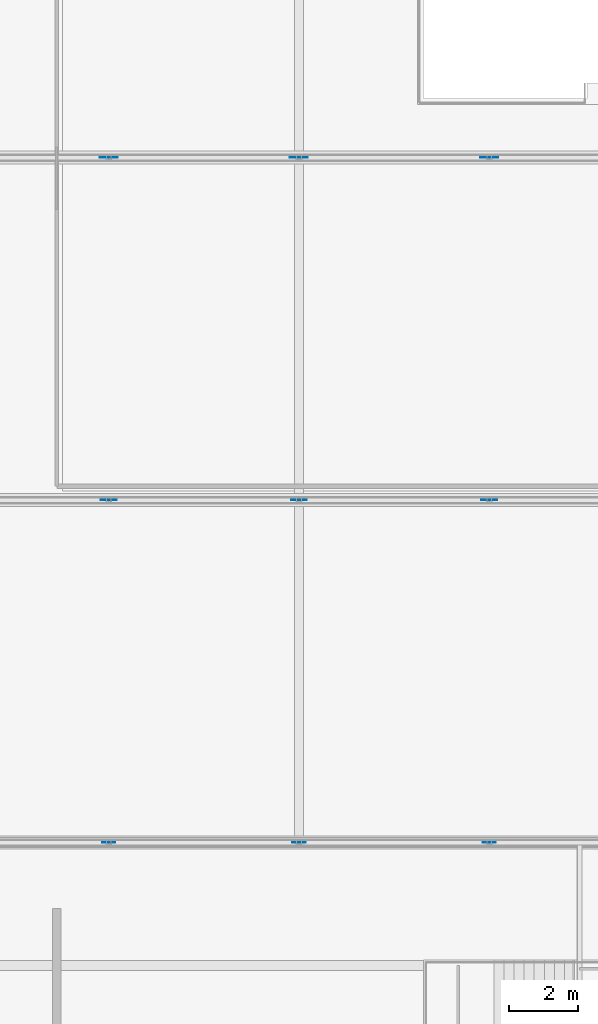
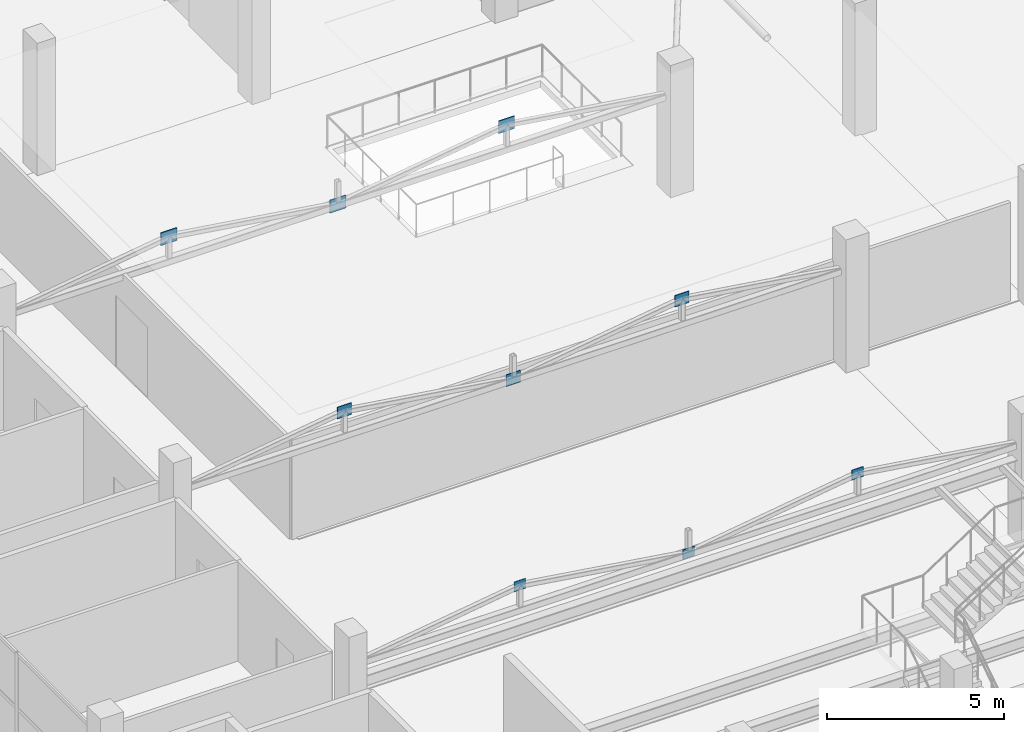
# One storey, part 40 of 55: 9 plates.
"""IFC4 building model written with IfcOpenShell, lengths in metres."""

import ifcopenshell
import ifcopenshell.guid

model = None  # the IFC model being written
_history = None  # IfcOwnerHistory: only IFC2X3 demands one
_inside = {}  # id of a spatial element -> (the spatial element, [elements in it])
_under = {}  # id of a project, library or spatial element -> (it, [spatial elements below it])
_declared = {}  # id of a project -> (the project, [libraries it declares])
_typed = {}  # id of a type object -> (the type object, [elements of that type])
_made_of = {}  # id of a material, layer set ... -> (it, [elements and type objects made of it])


def new_model(schema):
    """Start an empty IFC model of exactly this schema.

    Asked for "IFC4X3", IfcOpenShell would pick the latest addendum, in which some entities
    have other attributes; the version numbers below select the first issue.
    IFC2X3 requires an IfcOwnerHistory on every rooted entity: one is made here for all.
    """
    global model, _history
    if schema == "IFC4X3":
        model = ifcopenshell.file(schema_version=(4, 3, 0, 0))
    else:
        model = ifcopenshell.file(schema=schema)
    _inside.clear()
    _under.clear()
    _declared.clear()
    _typed.clear()
    _made_of.clear()
    _history = None
    if model.schema == "IFC2X3":
        org = make("IfcOrganization", Name="unknown")
        user = make(
            "IfcPersonAndOrganization",
            ThePerson=make("IfcPerson", FamilyName="unknown"),
            TheOrganization=org,
        )
        app = make(
            "IfcApplication",
            ApplicationDeveloper=org,
            Version="unknown",
            ApplicationFullName="unknown",
            ApplicationIdentifier="unknown",
        )
        _history = make(
            "IfcOwnerHistory",
            OwningUser=user,
            OwningApplication=app,
            ChangeAction="ADDED",
            CreationDate=0,
        )
    return model


def make(cls, **values):
    """One entity of the class cls with the attributes given. An attribute that is None is left unset."""
    return model.create_entity(
        cls, **{name: value for name, value in values.items() if value is not None}
    )


def rooted(cls, **values):
    """An entity with a GlobalId (a new one), such as an element, a storey or a relation."""
    return make(cls, GlobalId=ifcopenshell.guid.new(), OwnerHistory=_history, **values)


def si_unit(unit_type, name, prefix=None):
    """IfcSIUnit, for example si_unit("LENGTHUNIT", "METRE", prefix="MILLI")."""
    return make("IfcSIUnit", UnitType=unit_type, Prefix=prefix, Name=name)


def assignment(units):
    """IfcUnitAssignment: the units of a project."""
    return None if units is None else make("IfcUnitAssignment", Units=units)


def point(xyz):
    """IfcCartesianPoint."""
    return None if xyz is None else make("IfcCartesianPoint", Coordinates=xyz)


def direction(xyz):
    """IfcDirection."""
    return None if xyz is None else make("IfcDirection", DirectionRatios=xyz)


def frame(location, z_axis=None, x_axis=None):
    """IfcAxis2Placement3D, a coordinate frame: its origin and axes. An axis left out is left unset."""
    return make(
        "IfcAxis2Placement3D",
        Location=point(location),
        Axis=direction(z_axis),
        RefDirection=direction(x_axis),
    )


def frame_2d(location, x_axis=None):
    """IfcAxis2Placement2D, a coordinate frame in the plane: its origin and x axis."""
    return make(
        "IfcAxis2Placement2D", Location=point(location), RefDirection=direction(x_axis)
    )


def origin():
    """The frame at (0, 0, 0) with its axes left unset."""
    return frame((0.0, 0.0, 0.0))


def origin_2d():
    """The frame at (0, 0) in the plane with its x axis left unset."""
    return frame_2d((0.0, 0.0))


def place(relative_to, where):
    """IfcLocalPlacement: puts the frame where relative to a parent placement (None: the world)."""
    return make(
        "IfcLocalPlacement", PlacementRelTo=relative_to, RelativePlacement=where
    )


def context(
    kind, dimensions, precision=None, world=None, true_north=None, identifier=None
):
    """IfcGeometricRepresentationContext, for example the 3D "Model" context."""
    return make(
        "IfcGeometricRepresentationContext",
        ContextIdentifier=identifier,
        ContextType=kind,
        CoordinateSpaceDimension=dimensions,
        Precision=precision,
        WorldCoordinateSystem=world,
        TrueNorth=true_north,
    )


def subcontext(parent, identifier, kind, view, scale=None):
    """IfcGeometricRepresentationSubContext, for example "Body" below "Model"."""
    return make(
        "IfcGeometricRepresentationSubContext",
        ContextIdentifier=identifier,
        ContextType=kind,
        ParentContext=parent,
        TargetScale=scale,
        TargetView=view,
    )


def project(units=None, contexts=None):
    """IfcProject with its units and contexts."""
    return rooted(
        "IfcProject",
        Name="project",
        RepresentationContexts=contexts,
        UnitsInContext=assignment(units),
    )


def spatial(cls, under=None, at=None, **own):
    """A site, building, storey or space (cls), placed at a placement, below another one or the project."""
    s = rooted(cls, ObjectPlacement=at, **own)
    if under is not None:
        _under.setdefault(under.id(), (under, []))[1].append(s)
    return s


def profile(cls, at=None, kind="AREA", **sizes):
    """A parametric profile (cls). Its sizes go by their IFC names, for example OverallWidth=200.0."""
    return make(cls, ProfileType=kind, Position=at, **sizes)


def rectangle(**sizes):
    """IfcRectangleProfileDef."""
    return profile("IfcRectangleProfileDef", **sizes)


def extrude(swept, where, along, depth):
    """IfcExtrudedAreaSolid: the profile swept, set in the frame where, extruded along a direction by depth."""
    return make(
        "IfcExtrudedAreaSolid",
        SweptArea=swept,
        Position=where,
        ExtrudedDirection=direction(along),
        Depth=depth,
    )


def shape(context_of_items, identifier, shape_type, items):
    """IfcShapeRepresentation: the items that make up one representation, for example the "Body"."""
    return make(
        "IfcShapeRepresentation",
        ContextOfItems=context_of_items,
        RepresentationIdentifier=identifier,
        RepresentationType=shape_type,
        Items=items,
    )


def material(Name=None, Category=None):
    """IfcMaterial."""
    return make("IfcMaterial", Name=Name, Category=Category)


def layer(
    of_material, thickness, ventilated=None, Name=None, Category=None, Priority=None
):
    """IfcMaterialLayer: one layer of a wall or slab, of a material (None: an air gap)."""
    return make(
        "IfcMaterialLayer",
        Material=of_material,
        LayerThickness=thickness,
        IsVentilated=ventilated,
        Name=Name,
        Category=Category,
        Priority=Priority,
    )


def layer_set(layers, Name=None):
    """IfcMaterialLayerSet."""
    return make("IfcMaterialLayerSet", MaterialLayers=layers, LayerSetName=Name)


def made_of(thing, what):
    """Note that an element or type object is made of a material, layer set ...; save() writes the relation."""
    if what is not None:
        _made_of.setdefault(what.id(), (what, []))[1].append(thing)
    return thing


def type_object(cls, material=None, **own):
    """A type object (cls), such as IfcWallType, which elements share."""
    return made_of(rooted(cls, **own), material)


def element(
    cls,
    number,
    at=None,
    inside=None,
    cuts=None,
    type_object=None,
    material=None,
    context=None,
    identifier="Body",
    shape_type=None,
    held_by="IfcProductDefinitionShape",
    body=None,
    shapes=None,
    **own,
):
    """One element of the class cls, such as IfcWall. Its Tag is "e" and its number.

    at: its placement. inside: the storey or other place that contains it. cuts: it is an
    opening in that element (IfcRelVoidsElement). A single representation is given by context,
    identifier, shape_type and body (its items); several are given by shapes. held_by: the class
    of the entity that holds the representations. save() writes the other relations.
    """
    e = rooted(cls, Tag="e%d" % number, ObjectPlacement=at, **own)
    if body is not None:
        shapes = [shape(context, identifier, shape_type, body)]
    if shapes is not None:
        e.Representation = make(held_by, Representations=shapes)
    if inside is not None:
        _inside.setdefault(inside.id(), (inside, []))[1].append(e)
    if cuts is not None:
        rooted(
            "IfcRelVoidsElement", RelatingBuildingElement=cuts, RelatedOpeningElement=e
        )
    if type_object is not None:
        _typed.setdefault(type_object.id(), (type_object, []))[1].append(e)
    return made_of(e, material)


def aggregate(whole, parts):
    """IfcRelAggregates: a whole, such as a stair, and the parts it consists of."""
    return rooted("IfcRelAggregates", RelatingObject=whole, RelatedObjects=parts)


def save(model, path):
    """Write the relations noted so far, then the file.

    IfcRelAggregates (storeys below a building ...), IfcRelContainedInSpatialStructure (elements
    in a storey), IfcRelDefinesByType, IfcRelAssociatesMaterial and IfcRelDeclares: one each for
    every whole, place, type object, material and project.
    """
    for whole, parts in _under.values():
        aggregate(whole, parts)
    for where, things in _inside.values():
        rooted(
            "IfcRelContainedInSpatialStructure",
            RelatedElements=things,
            RelatingStructure=where,
        )
    for kind, things in _typed.values():
        rooted("IfcRelDefinesByType", RelatedObjects=things, RelatingType=kind)
    for what, things in _made_of.values():
        rooted("IfcRelAssociatesMaterial", RelatedObjects=things, RelatingMaterial=what)
    for by, libraries in _declared.values():
        rooted("IfcRelDeclares", RelatingContext=by, RelatedDefinitions=libraries)
    model.write(path)


model = new_model("IFC4")

# Units and contexts
model_context = context("Model", 3, precision=1e-05, world=origin(), true_north=direction((0.0, 1.0)))
body_context = subcontext(model_context, "Body", "Model", "MODEL_VIEW")
ifc_project = project(units=[si_unit("LENGTHUNIT", "METRE"), si_unit("AREAUNIT", "SQUARE_METRE"), si_unit("VOLUMEUNIT", "CUBIC_METRE"), si_unit("PLANEANGLEUNIT", "RADIAN"), si_unit("MASSUNIT", "GRAM", prefix="KILO")], contexts=[model_context])

# Site, building, storey
site_placement = place(None, origin())
site = spatial("IfcSite", under=ifc_project, at=site_placement, CompositionType="ELEMENT")
building_placement = place(site_placement, origin())
building = spatial("IfcBuilding", under=site, at=building_placement, Name="Sillaruma Civic Art Gallery", CompositionType="ELEMENT")
storey_placement = place(building_placement, frame((0.0, 0.0, 37.739990234375)))
storey = spatial("IfcBuildingStorey", under=building, at=storey_placement, Name="L07", CompositionType="ELEMENT", Elevation=37.739990234375)

# Plates
ifc_material = material(Name="Structural Steel ASTM A992 Gr.50", Category="steel")
ifc_layer_1 = layer(ifc_material, 0.01611328125, Name="Structural Steel ASTM A992 Gr.50")
ifc_layer_set_1 = layer_set([ifc_layer_1], Name="Structural Steel ASTM A992 Gr.50")
plate_type_1 = type_object("IfcPlateType", Name="PLT-GUS-16", PredefinedType="SHEET", material=ifc_layer_set_1)
for number, where, z_axis, x_axis, name in (
    (1, (75.5, 49.5, 3.9580078125), (0.0, 0.0, 1.0), (1.0, 0.0, 0.0), "Truss Gusset Plate GP-05 (TR-L07-1-1)"),
    (2, (81.0, 49.5, 3.14990234375), (0.0, 0.0, 1.0), (1.0, 0.0, 0.0), "Truss Gusset Plate GP-05 (TR-L07-1-2)"),
    (3, (86.5, 49.5, 3.9580078125), (0.0, 0.0, 1.0), (1.0, 0.0, 0.0), "Truss Gusset Plate GP-05 (TR-L07-1-3)"),
):
    element("IfcPlate", number, at=place(storey_placement, frame(where, z_axis=z_axis, x_axis=x_axis)), inside=storey, type_object=plate_type_1, Name=name, PredefinedType="SHEET", context=body_context, shape_type="SweptSolid", body=[
        extrude(rectangle(XDim=0.3798828125, YDim=0.01611328125, at=origin_2d()), origin(), (0.0, 0.0, 1.0), 0.340087890625),
    ])
ifc_layer_2 = layer(ifc_material, 0.02001953125, Name="Structural Steel ASTM A992 Gr.50")
ifc_layer_set_2 = layer_set([ifc_layer_2], Name="Structural Steel ASTM A992 Gr.50")
plate_type_2 = type_object("IfcPlateType", Name="PLT-GUS-20", PredefinedType="SHEET", material=ifc_layer_set_2)
for number, where, z_axis, x_axis, name in (
    (4, (75.5, 59.39990234375, 3.927978515625), (0.0, 0.0, 1.0), (1.0, 0.0, 0.0), "Truss Gusset Plate GP-01 (TR-L07-2-1)"),
    (5, (81.0, 59.39990234375, 3.1201171875), (0.0, 0.0, 1.0), (1.0, 0.0, 0.0), "Truss Gusset Plate GP-01 (TR-L07-2-2)"),
    (6, (86.5, 59.39990234375, 3.927978515625), (0.0, 0.0, 1.0), (1.0, 0.0, 0.0), "Truss Gusset Plate GP-01 (TR-L07-2-3)"),
):
    element("IfcPlate", number, at=place(storey_placement, frame(where, z_axis=z_axis, x_axis=x_axis)), inside=storey, type_object=plate_type_2, Name=name, PredefinedType="SHEET", context=body_context, shape_type="SweptSolid", body=[
        extrude(rectangle(XDim=0.4599609375, YDim=0.02001953125, at=origin_2d()), origin(), (0.0, 0.0, 1.0), 0.39990234375),
    ])
ifc_layer_3 = layer(ifc_material, 0.02392578125, Name="Structural Steel ASTM A992 Gr.50")
ifc_layer_set_3 = layer_set([ifc_layer_3], Name="Structural Steel ASTM A992 Gr.50")
plate_type_3 = type_object("IfcPlateType", Name="PLT-GUS-24", PredefinedType="SHEET", material=ifc_layer_set_3)
for number, where, z_axis, x_axis, name in (
    (7, (75.5, 69.300048828125, 3.907958984375), (0.0, 0.0, 1.0), (1.0, 0.0, 0.0), "Truss Gusset Plate GP-02 (TR-L07-3-1)"),
    (8, (81.0, 69.300048828125, 3.10009765625), (0.0, 0.0, 1.0), (1.0, 0.0, 0.0), "Truss Gusset Plate GP-02 (TR-L07-3-2)"),
    (9, (86.5, 69.300048828125, 3.907958984375), (0.0, 0.0, 1.0), (1.0, 0.0, 0.0), "Truss Gusset Plate GP-02 (TR-L07-3-3)"),
):
    element("IfcPlate", number, at=place(storey_placement, frame(where, z_axis=z_axis, x_axis=x_axis)), inside=storey, type_object=plate_type_3, Name=name, PredefinedType="SHEET", context=body_context, shape_type="SweptSolid", body=[
        extrude(rectangle(XDim=0.52001953125, YDim=0.02392578125, at=origin_2d()), origin(), (0.0, 0.0, 1.0), 0.43994140625),
    ])

save(model, "model.ifc")
